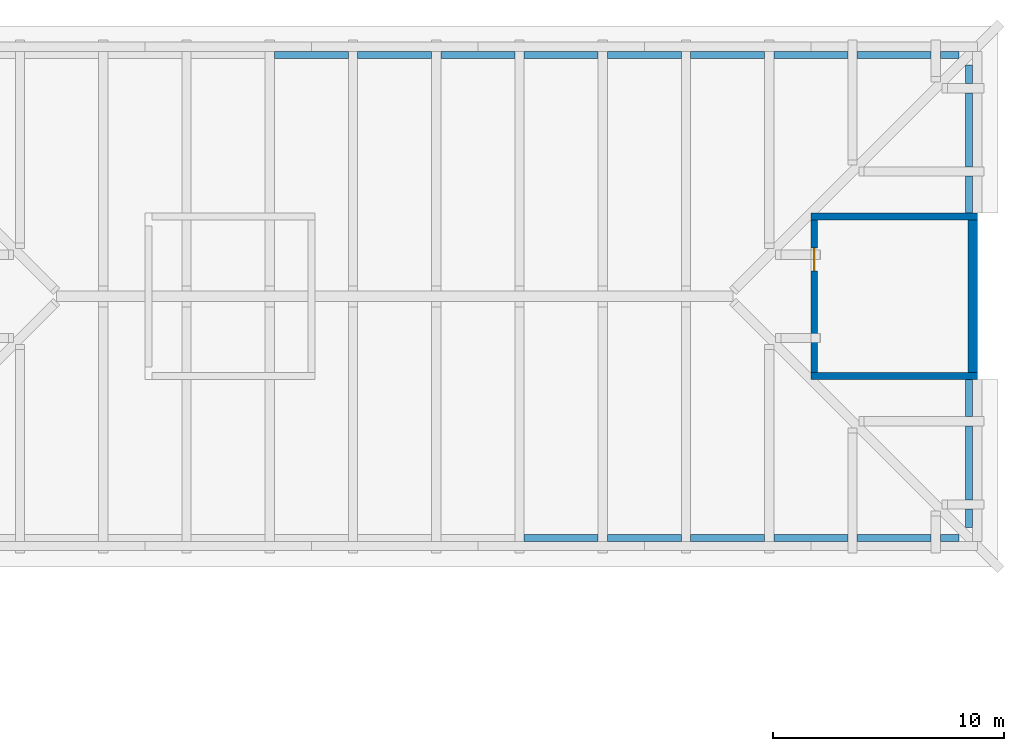
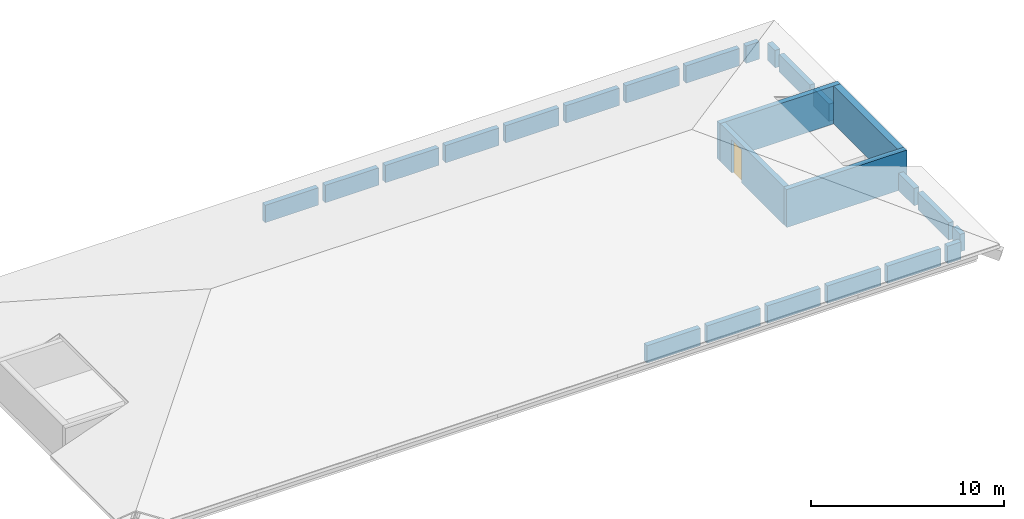
# One storey, part 7 of 8: 25 walls, 1 door, 1 opening.
"""IFC4 building model written with IfcOpenShell, lengths in metres."""

from ifc_helpers import new_model, si_unit, direction, frame, frame_2d, origin, place, context, subcontext, project, spatial, rectangle, extrude, material, layer, layer_set, type_object, element, fill, save


model = new_model("IFC4")

# Units and contexts
model_context = context("Model", 3, precision=1e-05, world=origin(), true_north=direction((0.0, 1.0)))
body_context = subcontext(model_context, "Body", "Model", "MODEL_VIEW")
ifc_project = project(units=[si_unit("LENGTHUNIT", "METRE"), si_unit("AREAUNIT", "SQUARE_METRE"), si_unit("VOLUMEUNIT", "CUBIC_METRE"), si_unit("PLANEANGLEUNIT", "RADIAN"), si_unit("MASSUNIT", "GRAM", prefix="KILO")], contexts=[model_context])

# Site, building, storey
site_placement = place(None, origin())
site = spatial("IfcSite", under=ifc_project, at=site_placement, CompositionType="ELEMENT")
building_placement = place(site_placement, origin())
building = spatial("IfcBuilding", under=site, at=building_placement, Name="Vermilion Court Aquatics Centre", CompositionType="ELEMENT")
storey_placement = place(building_placement, frame((0.0, 0.0, 23.300048828125)))
storey = spatial("IfcBuildingStorey", under=building, at=storey_placement, Name="ROOF", CompositionType="ELEMENT", Elevation=23.300048828125)

# Walls
ifc_material_1 = material(Name="Concrete 8000 psi", Category="concrete")
ifc_layer_1 = layer(ifc_material_1, 0.39990234375)
ifc_layer_set_1 = layer_set([ifc_layer_1], Name="North block core brick-faced shear wall 400")
wall_type_1 = type_object("IfcWallType", Name="North block core brick-faced shear wall 400", PredefinedType="SHEAR", material=ifc_layer_set_1)
wall_1_placement = place(storey_placement, frame((194.199951171875, 101.10009765625, 0.0), z_axis=(0.0, 0.0, 1.0), x_axis=(0.0, 1.0, 0.0)))
element("IfcWall", 1, at=wall_1_placement, inside=storey, type_object=wall_type_1, Name="Stair 2 turret wall outer ROOF", PredefinedType="SHEAR", context=body_context, shape_type="SweptSolid", body=[
    extrude(rectangle(XDim=6.599853515625, YDim=0.39990234375, at=frame_2d((3.2998046875, 0.0))), origin(), (0.0, 0.0, 1.0), 2.39990234375),
])
ifc_material_2 = material(Name="Terracotta cladding", Category="masonry")
ifc_layer_2 = layer(ifc_material_2, 0.300048828125)
ifc_layer_set_2 = layer_set([ifc_layer_2], Name="North block roof parapet 300")
wall_type_2 = type_object("IfcWallType", Name="North block roof parapet 300", PredefinedType="PARAPET", material=ifc_layer_set_2)
wall_2_placement = place(storey_placement, frame((174.800048828125, 93.949951171875, 0.0), z_axis=(0.0, 0.0, 1.0), x_axis=(1.0, 0.0, 0.0)))
element("IfcWall", 2, at=wall_2_placement, inside=storey, type_object=wall_type_2, Name="Roof parapet S10", PredefinedType="PARAPET", context=body_context, shape_type="SweptSolid", body=[
    extrude(rectangle(XDim=3.199951171875, YDim=0.300048828125, at=frame_2d((1.60009765625, 0.0))), origin(), (0.0, 0.0, 1.0), 1.099853515625),
])
wall_3_placement = place(storey_placement, frame((178.39990234375, 93.949951171875, 0.0), z_axis=(0.0, 0.0, 1.0), x_axis=(1.0, 0.0, 0.0)))
element("IfcWall", 3, at=wall_3_placement, inside=storey, type_object=wall_type_2, Name="Roof parapet S11", PredefinedType="PARAPET", context=body_context, shape_type="SweptSolid", body=[
    extrude(rectangle(XDim=3.2001953125, YDim=0.300048828125, at=frame_2d((1.60009765625, 0.0))), origin(), (0.0, 0.0, 1.0), 1.099853515625),
])
for number, where, z_axis, x_axis, name in (
    (4, (182.0, 93.949951171875, 0.0), (0.0, 0.0, 1.0), (1.0, 0.0, 0.0), "Roof parapet S12"),
    (5, (185.60009765625, 93.949951171875, 0.0), (0.0, 0.0, 1.0), (1.0, 0.0, 0.0), "Roof parapet S13"),
    (6, (189.199951171875, 93.949951171875, 0.0), (0.0, 0.0, 1.0), (1.0, 0.0, 0.0), "Roof parapet S14"),
):
    element("IfcWall", number, at=place(storey_placement, frame(where, z_axis=z_axis, x_axis=x_axis)), inside=storey, type_object=wall_type_2, Name=name, PredefinedType="PARAPET", context=body_context, shape_type="SweptSolid", body=[
        extrude(rectangle(XDim=3.199951171875, YDim=0.300048828125, at=frame_2d((1.60009765625, 0.0))), origin(), (0.0, 0.0, 1.0), 1.099853515625),
    ])
wall_4_placement = place(storey_placement, frame((192.800048828125, 93.949951171875, 0.0), z_axis=(0.0, 0.0, 1.0), x_axis=(1.0, 0.0, 0.0)))
element("IfcWall", 7, at=wall_4_placement, inside=storey, type_object=wall_type_2, Name="Roof parapet S15", PredefinedType="PARAPET", context=body_context, shape_type="SweptSolid", body=[
    extrude(rectangle(XDim=0.800048828125, YDim=0.300048828125, at=frame_2d((0.39990234375, 0.0))), origin(), (0.0, 0.0, 1.0), 1.099853515625),
])
for number, where, z_axis, x_axis, name in (
    (8, (164.0, 114.85009765625, 0.0), (0.0, 0.0, 1.0), (1.0, 0.0, 0.0), "Roof parapet N7"),
    (9, (167.60009765625, 114.85009765625, 0.0), (0.0, 0.0, 1.0), (1.0, 0.0, 0.0), "Roof parapet N8"),
    (10, (171.199951171875, 114.85009765625, 0.0), (0.0, 0.0, 1.0), (1.0, 0.0, 0.0), "Roof parapet N9"),
    (11, (174.800048828125, 114.85009765625, 0.0), (0.0, 0.0, 1.0), (1.0, 0.0, 0.0), "Roof parapet N10"),
):
    element("IfcWall", number, at=place(storey_placement, frame(where, z_axis=z_axis, x_axis=x_axis)), inside=storey, type_object=wall_type_2, Name=name, PredefinedType="PARAPET", context=body_context, shape_type="SweptSolid", body=[
        extrude(rectangle(XDim=3.199951171875, YDim=0.300048828125, at=frame_2d((1.60009765625, 0.0))), origin(), (0.0, 0.0, 1.0), 1.099853515625),
    ])
wall_5_placement = place(storey_placement, frame((178.39990234375, 114.85009765625, 0.0), z_axis=(0.0, 0.0, 1.0), x_axis=(1.0, 0.0, 0.0)))
element("IfcWall", 12, at=wall_5_placement, inside=storey, type_object=wall_type_2, Name="Roof parapet N11", PredefinedType="PARAPET", context=body_context, shape_type="SweptSolid", body=[
    extrude(rectangle(XDim=3.2001953125, YDim=0.300048828125, at=frame_2d((1.60009765625, 0.0))), origin(), (0.0, 0.0, 1.0), 1.099853515625),
])
for number, where, z_axis, x_axis, name in (
    (13, (182.0, 114.85009765625, 0.0), (0.0, 0.0, 1.0), (1.0, 0.0, 0.0), "Roof parapet N12"),
    (14, (185.60009765625, 114.85009765625, 0.0), (0.0, 0.0, 1.0), (1.0, 0.0, 0.0), "Roof parapet N13"),
    (15, (189.199951171875, 114.85009765625, 0.0), (0.0, 0.0, 1.0), (1.0, 0.0, 0.0), "Roof parapet N14"),
):
    element("IfcWall", number, at=place(storey_placement, frame(where, z_axis=z_axis, x_axis=x_axis)), inside=storey, type_object=wall_type_2, Name=name, PredefinedType="PARAPET", context=body_context, shape_type="SweptSolid", body=[
        extrude(rectangle(XDim=3.199951171875, YDim=0.300048828125, at=frame_2d((1.60009765625, 0.0))), origin(), (0.0, 0.0, 1.0), 1.099853515625),
    ])
for number, where, z_axis, x_axis, name in (
    (16, (192.800048828125, 114.85009765625, 0.0), (0.0, 0.0, 1.0), (1.0, 0.0, 0.0), "Roof parapet N15"),
    (17, (194.050048828125, 94.39990234375, 0.0), (0.0, 0.0, 1.0), (0.0, 1.0, 0.0), "Roof parapet E1"),
):
    element("IfcWall", number, at=place(storey_placement, frame(where, z_axis=z_axis, x_axis=x_axis)), inside=storey, type_object=wall_type_2, Name=name, PredefinedType="PARAPET", context=body_context, shape_type="SweptSolid", body=[
        extrude(rectangle(XDim=0.800048828125, YDim=0.300048828125, at=frame_2d((0.39990234375, 0.0))), origin(), (0.0, 0.0, 1.0), 1.099853515625),
    ])
wall_6_placement = place(storey_placement, frame((194.050048828125, 95.60009765625, 0.0), z_axis=(0.0, 0.0, 1.0), x_axis=(0.0, 1.0, 0.0)))
element("IfcWall", 18, at=wall_6_placement, inside=storey, type_object=wall_type_2, Name="Roof parapet E2", PredefinedType="PARAPET", context=body_context, shape_type="SweptSolid", body=[
    extrude(rectangle(XDim=3.199951171875, YDim=0.300048828125, at=frame_2d((1.60009765625, 0.0))), origin(), (0.0, 0.0, 1.0), 1.099853515625),
])
for number, where, z_axis, x_axis, name in (
    (19, (194.050048828125, 99.199951171875, 0.0), (0.0, 0.0, 1.0), (0.0, 1.0, 0.0), "Roof parapet E3"),
    (20, (194.050048828125, 108.0, 0.0), (0.0, 0.0, 1.0), (0.0, 1.0, 0.0), "Roof parapet E4"),
):
    element("IfcWall", number, at=place(storey_placement, frame(where, z_axis=z_axis, x_axis=x_axis)), inside=storey, type_object=wall_type_2, Name=name, PredefinedType="PARAPET", context=body_context, shape_type="SweptSolid", body=[
        extrude(rectangle(XDim=1.60009765625, YDim=0.300048828125, at=frame_2d((0.800048828125, 0.0))), origin(), (0.0, 0.0, 1.0), 1.099853515625),
    ])
wall_7_placement = place(storey_placement, frame((194.050048828125, 110.0, 0.0), z_axis=(0.0, 0.0, 1.0), x_axis=(0.0, 1.0, 0.0)))
element("IfcWall", 21, at=wall_7_placement, inside=storey, type_object=wall_type_2, Name="Roof parapet E5", PredefinedType="PARAPET", context=body_context, shape_type="SweptSolid", body=[
    extrude(rectangle(XDim=3.199951171875, YDim=0.300048828125, at=frame_2d((1.60009765625, 0.0))), origin(), (0.0, 0.0, 1.0), 1.099853515625),
])
wall_8_placement = place(storey_placement, frame((194.050048828125, 113.60009765625, 0.0), z_axis=(0.0, 0.0, 1.0), x_axis=(0.0, 1.0, 0.0)))
element("IfcWall", 22, at=wall_8_placement, inside=storey, type_object=wall_type_2, Name="Roof parapet E6", PredefinedType="PARAPET", context=body_context, shape_type="SweptSolid", body=[
    extrude(rectangle(XDim=0.7998046875, YDim=0.300048828125, at=frame_2d((0.39990234375, 0.0))), origin(), (0.0, 0.0, 1.0), 1.099853515625),
])
ifc_material_3 = material(Name="Brick masonry", Category="masonry")
ifc_layer_3 = layer(ifc_material_3, 0.300048828125)
ifc_layer_set_3 = layer_set([ifc_layer_3], Name="North block stair turret wall 300")
wall_type_3 = type_object("IfcWallType", Name="North block stair turret wall 300", PredefinedType="SOLIDWALL", material=ifc_layer_set_3)
for number, where, z_axis, x_axis, name in (
    (23, (194.39990234375, 100.949951171875, 0.0), (0.0, 0.0, 1.0), (-1.0, 0.0, 0.0), "Stair 2 turret wall south ROOF"),
    (24, (194.39990234375, 107.85009765625, 0.0), (0.0, 0.0, 1.0), (-1.0, 0.0, 0.0), "Stair 2 turret wall north ROOF"),
):
    element("IfcWall", number, at=place(storey_placement, frame(where, z_axis=z_axis, x_axis=x_axis)), inside=storey, type_object=wall_type_3, Name=name, PredefinedType="SOLIDWALL", context=body_context, shape_type="SweptSolid", body=[
        extrude(rectangle(XDim=7.199951171875, YDim=0.300048828125, at=frame_2d((3.60009765625, 0.0))), origin(), (0.0, 0.0, 1.0), 2.39990234375),
    ])

# Wall, opening, door
wall_9_placement = place(storey_placement, frame((187.35009765625, 101.10009765625, 0.0), z_axis=(0.0, 0.0, 1.0), x_axis=(0.0, 1.0, 0.0)))
wall_9 = element("IfcWall", 25, at=wall_9_placement, inside=storey, type_object=wall_type_3, Name="Stair 2 turret wall inner ROOF", PredefinedType="SOLIDWALL", context=body_context, shape_type="SweptSolid", body=[
    extrude(rectangle(XDim=6.599853515625, YDim=0.300048828125, at=frame_2d((3.2998046875, 0.0))), origin(), (0.0, 0.0, 1.0), 2.39990234375),
])
opening_placement = place(wall_9_placement, frame((4.39990234375, 0.0, 0.0)))
opening = element("IfcOpeningElement", 26, at=opening_placement, cuts=wall_9, Name="Opening UROOF-003", PredefinedType="OPENING", context=body_context, shape_type="SweptSolid", body=[
    extrude(rectangle(XDim=1.0, YDim=2.10009765625, at=frame_2d((0.5, 1.050048828125))), frame((0.0, 0.159912109375, 0.0), z_axis=(0.0, -1.0, 0.0), x_axis=(1.0, 0.0, 0.0)), (0.0, 0.0, 1.0), 0.320068359375),
])
ifc_material_4 = material(Name="Hollow metal")
door_type = type_object("IfcDoorType", Name="North block loft access door FD90 1000x2100", OperationType="NOTDEFINED", PredefinedType="DOOR", material=ifc_material_4)
door_placement = place(opening_placement, origin())
door = element("IfcDoor", 27, at=door_placement, inside=storey, type_object=door_type, Name="Stair 2 loft door", OperationType="SINGLE_SWING_LEFT", OverallHeight=2.10009765625, OverallWidth=1.0, PredefinedType="DOOR", context=body_context, shape_type="SweptSolid", body=[
    extrude(rectangle(XDim=1.0, YDim=2.10009765625, at=frame_2d((0.5, 1.050048828125))), frame((0.0, 0.02490234375, 0.0), z_axis=(0.0, -1.0, 0.0), x_axis=(1.0, 0.0, 0.0)), (0.0, 0.0, 1.0), 0.050048828125),
])
fill(opening, door)

save(model, "model.ifc")
